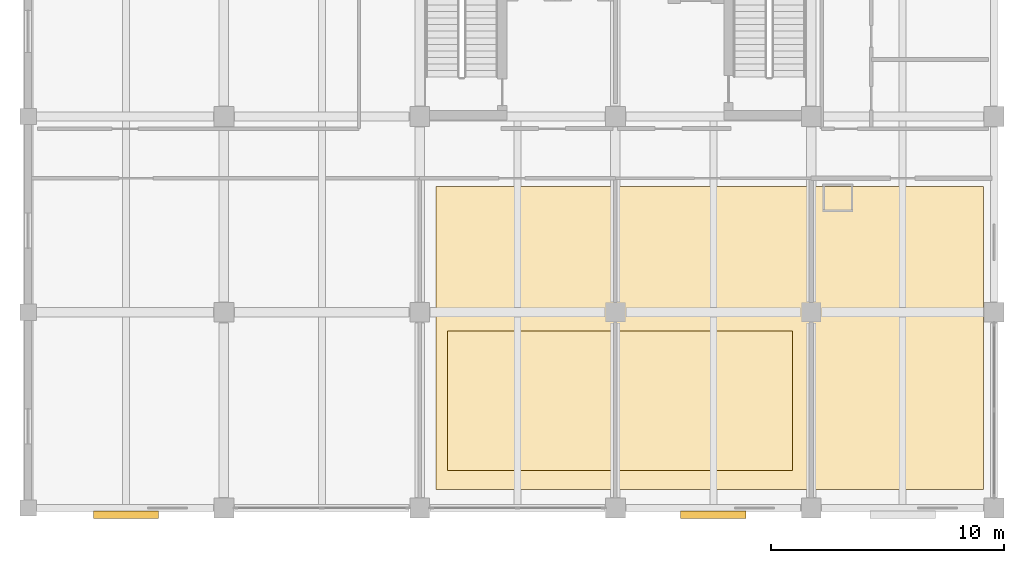
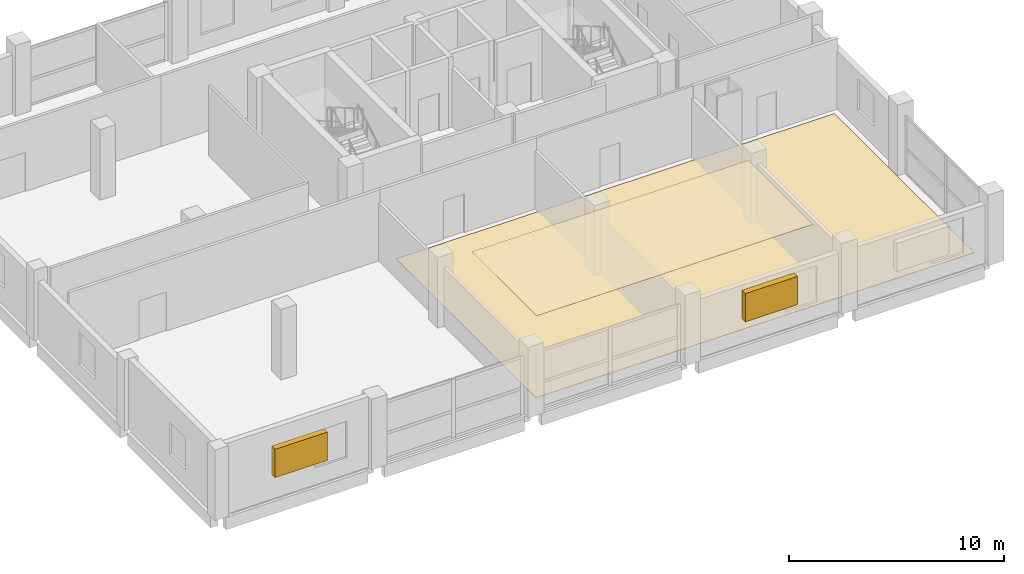
# One storey, part 10 of 11: 2 coverings, 2 shading devices.
"""IFC4 building model written with IfcOpenShell, lengths in metres."""

from ifc_helpers import new_model, si_unit, direction, frame, origin, origin_2d, place, context, subcontext, project, spatial, polyline, rectangle, outline, extrude, material, layer, layer_set, type_object, element, save


model = new_model("IFC4")

# Units and contexts
model_context = context("Model", 3, precision=1e-05, world=origin(), true_north=direction((0.0, 1.0)))
body_context = subcontext(model_context, "Body", "Model", "MODEL_VIEW")
ifc_project = project(units=[si_unit("LENGTHUNIT", "METRE"), si_unit("AREAUNIT", "SQUARE_METRE"), si_unit("VOLUMEUNIT", "CUBIC_METRE"), si_unit("PLANEANGLEUNIT", "RADIAN"), si_unit("MASSUNIT", "GRAM", prefix="KILO")], contexts=[model_context])

# Site, building, storey
site_placement = place(None, origin())
site = spatial("IfcSite", under=ifc_project, at=site_placement, CompositionType="ELEMENT")
building_placement = place(site_placement, origin())
building = spatial("IfcBuilding", under=site, at=building_placement, Name="Brinegate Botanical Conservatory", CompositionType="ELEMENT")
storey_placement = place(building_placement, frame((0.0, 0.0, 23.39990234375)))
storey = spatial("IfcBuildingStorey", under=building, at=storey_placement, Name="L06", CompositionType="ELEMENT", Elevation=23.39990234375)

# Coverings
ifc_material_1 = material(Name="Moisture-resistant acoustic mineral-fibre ceiling board", Category="gypsum")
ifc_layer_1 = layer(ifc_material_1, 0.02001953125, Name="Moisture-resistant acoustic mineral-fibre ceiling board", Category="gypsum")
ifc_layer_set_1 = layer_set([ifc_layer_1], Name="Moisture-resistant acoustic mineral-fibre ceiling board")
covering_type_1 = type_object("IfcCoveringType", Name="Cov_CLG-LAB", PredefinedType="CEILING", material=ifc_layer_set_1)
covering_1_placement = place(storey_placement, frame((0.0, 0.0, 3.97998046875)))
element("IfcCovering", 1, at=covering_1_placement, inside=storey, type_object=covering_type_1, Name="Laboratory acoustic mineral-fibre ceiling L06", PredefinedType="CEILING", context=body_context, shape_type="SweptSolid", body=[
    extrude(outline(polyline([(140.0, 80.0), (154.800048828125, 80.0), (154.800048828125, 86.0), (140.0, 86.0), (140.0, 80.0)])), origin(), (0.0, 0.0, 1.0), 0.02001953125),
])
ifc_material_2 = material(Name="Seamless chemical-resistant terrazzo and epoxy flooring", Category="concrete")
ifc_layer_2 = layer(ifc_material_2, 0.014892578125, Name="Seamless chemical-resistant terrazzo and epoxy flooring", Category="concrete")
ifc_layer_set_2 = layer_set([ifc_layer_2], Name="Seamless chemical-resistant terrazzo and epoxy flooring")
covering_type_2 = type_object("IfcCoveringType", Name="Cov_FLR-LAB", PredefinedType="FLOORING", material=ifc_layer_set_2)
covering_2_placement = place(storey_placement, origin())
element("IfcCovering", 2, at=covering_2_placement, inside=storey, type_object=covering_type_2, Name="Laboratory seamless terrazzo floor finish L06", PredefinedType="FLOORING", context=body_context, shape_type="SweptSolid", body=[
    extrude(outline(polyline([(139.5, 79.199951171875), (163.0, 79.199951171875), (163.0, 92.199951171875), (139.5, 92.199951171875), (139.5, 79.199951171875)])), origin(), (0.0, 0.0, 1.0), 0.01513671875),
])

# Shading devices
ifc_material_3 = material(Name="Anodised aluminium AW-6063-T6 solar-storm fin bank", Category="aluminium")
shading_device_type = type_object("IfcShadingDeviceType", Name="Shade_SLV-02", PredefinedType="JALOUSIE", material=ifc_material_3)
for number, where, z_axis, x_axis, name in (
    (3, (126.199951171875, 78.110107421875, 1.400146484375), (0.0, 0.0, 1.0), (1.0, 0.0, 0.0), "Research lab south storm louvre L06.1"),
    (4, (151.39990234375, 78.110107421875, 1.400146484375), (0.0, 0.0, 1.0), (1.0, 0.0, 0.0), "Research lab south storm louvre L06.4"),
):
    element("IfcShadingDevice", number, at=place(storey_placement, frame(where, z_axis=z_axis, x_axis=x_axis)), inside=storey, type_object=shading_device_type, Name=name, PredefinedType="JALOUSIE", context=body_context, shape_type="SweptSolid", body=[
        extrude(rectangle(XDim=2.800048828125, YDim=0.320068359375, at=origin_2d()), origin(), (0.0, 0.0, 1.0), 1.60009765625),
    ])

save(model, "model.ifc")
